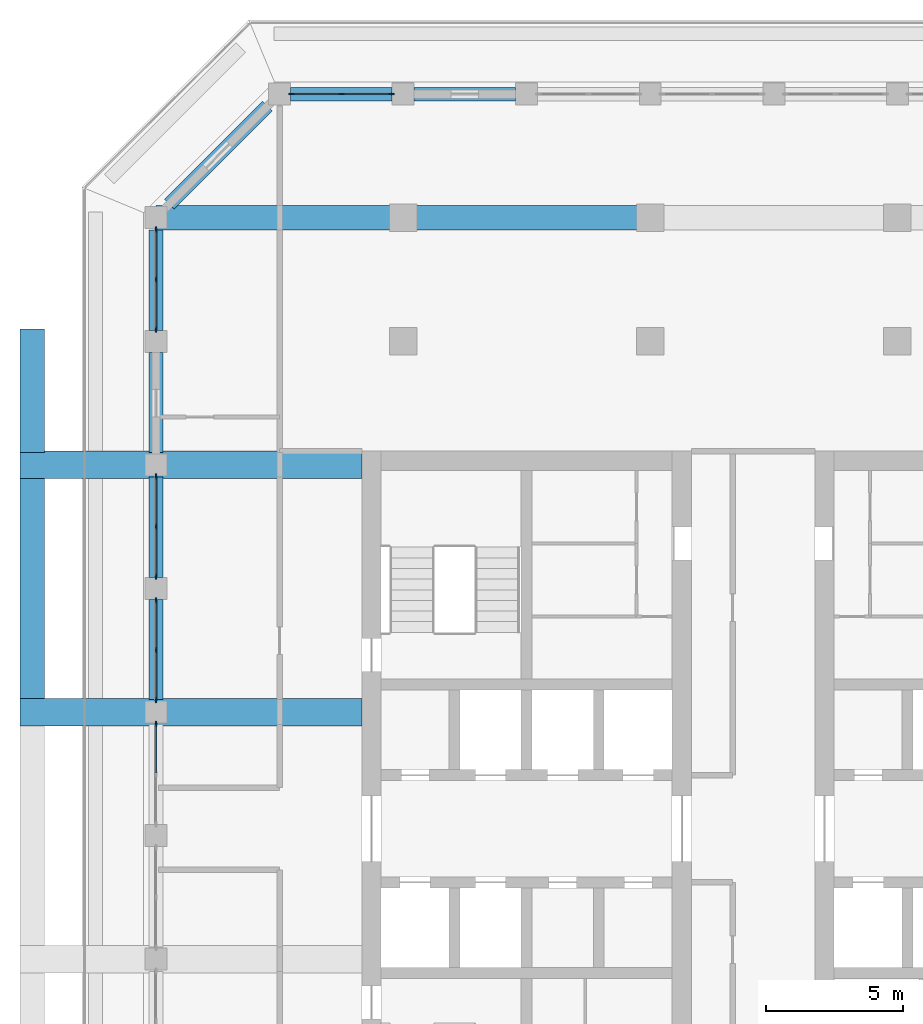
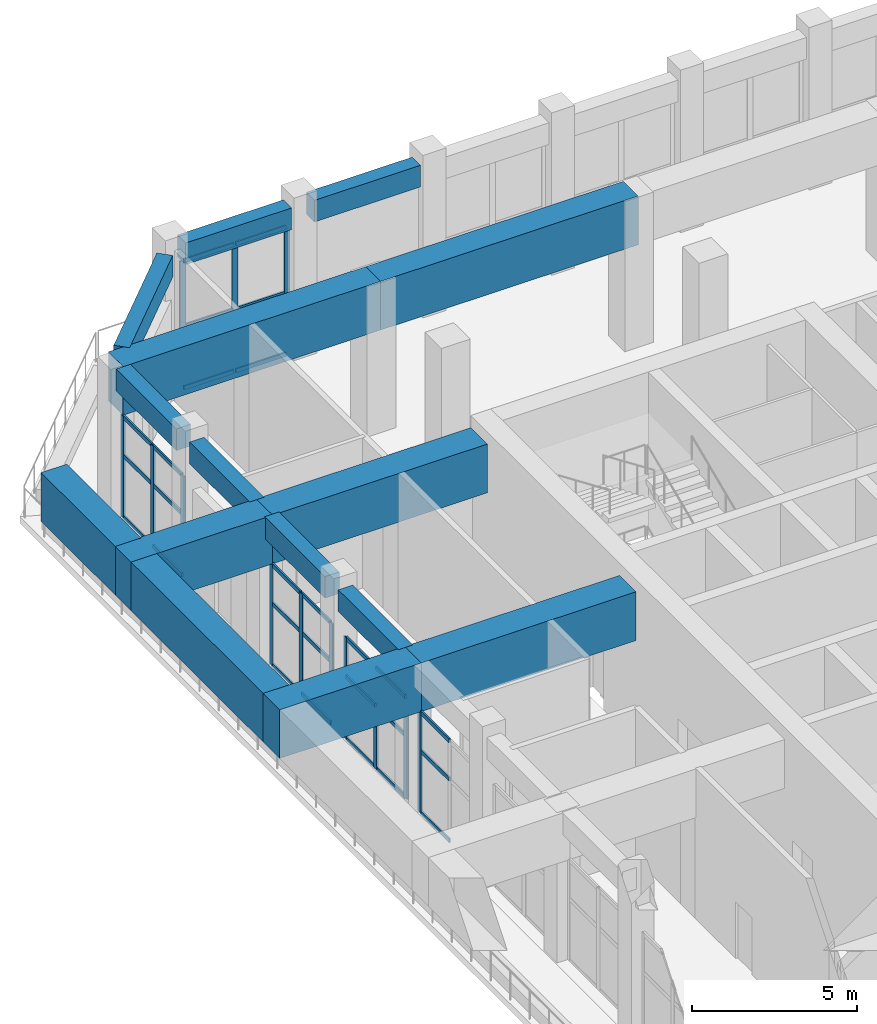
# One storey, part 6 of 25: 40 members, 15 beams, 5 elements without a shape of their own.
"""IFC4 building model written with IfcOpenShell, lengths in metres."""

from ifc_helpers import new_model, si_unit, direction, frame, origin, origin_2d, place, context, subcontext, project, spatial, rectangle, extrude, material, material_profile, profile_set, type_object, element, aggregate, save


model = new_model("IFC4")

# Units and contexts
model_context = context("Model", 3, precision=1e-05, world=origin(), true_north=direction((0.0, 1.0)))
body_context = subcontext(model_context, "Body", "Model", "MODEL_VIEW")
ifc_project = project(units=[si_unit("LENGTHUNIT", "METRE"), si_unit("AREAUNIT", "SQUARE_METRE"), si_unit("VOLUMEUNIT", "CUBIC_METRE"), si_unit("PLANEANGLEUNIT", "RADIAN"), si_unit("MASSUNIT", "GRAM", prefix="KILO")], contexts=[model_context])

# Site, building, storey
site_placement = place(None, origin())
site = spatial("IfcSite", under=ifc_project, at=site_placement, CompositionType="ELEMENT")
building_placement = place(site_placement, origin())
building = spatial("IfcBuilding", under=site, at=building_placement, Name="Corbel Stack Research Tower", CompositionType="ELEMENT")
storey_placement = place(building_placement, frame((0.0, 0.0, 260.300048828125)))
storey = spatial("IfcBuildingStorey", under=building, at=storey_placement, Name="L59", CompositionType="ELEMENT", Elevation=260.300048828125)

# Curtain wall, members
ifc_material_1 = material(Name="Aluminium frame, clear glass", Category="aluminium")
curtain_wall_type = type_object("IfcCurtainWallType", Name="Upper amenity floor curtain wall CW3", PredefinedType="NOTDEFINED", material=ifc_material_1)
curtain_wall_1_placement = place(storey_placement, origin())
curtain_wall_1 = element("IfcCurtainWall", 1, at=curtain_wall_1_placement, inside=storey, type_object=curtain_wall_type, Name="Curtain wall CW3 L59 N08", PredefinedType="NOTDEFINED")
ifc_material_2 = material(Name="Aluminium mullion", Category="aluminium")
ifc_material_profile_1 = material_profile(ifc_material_2, rectangle(XDim=0.06005859375, YDim=0.199951171875, at=origin_2d()), Name="Mullion 60 x 200")
ifc_profile_set_1 = profile_set([ifc_material_profile_1], Name="Aluminium mullion")
member_type_1 = type_object("IfcMemberType", Name="Curtain wall mullion 60 x 200", PredefinedType="MULLION", material=ifc_profile_set_1)
member_1_placement = place(storey_placement, frame((-9.429931640625, 31.5, 0.0), z_axis=(0.0, 0.0, 1.0), x_axis=(0.0, -1.0, 0.0)))
member_1 = element("IfcMember", 2, at=member_1_placement, type_object=member_type_1, Name="CW3 mullion 1", PredefinedType="MULLION", context=body_context, shape_type="SweptSolid", body=[
    extrude(rectangle(XDim=0.06005859375, YDim=0.199951171875, at=origin_2d()), origin(), (0.0, 0.0, 1.0), 4.75),
])
member_2_placement = place(storey_placement, frame((-11.25, 31.5, 0.0), z_axis=(0.0, 0.0, 1.0), x_axis=(0.0, -1.0, 0.0)))
member_2 = element("IfcMember", 3, at=member_2_placement, type_object=member_type_1, Name="CW3 mullion 2", PredefinedType="MULLION", context=body_context, shape_type="SweptSolid", body=[
    extrude(rectangle(XDim=0.06005859375, YDim=0.199951171875, at=origin_2d()), origin(), (0.0, 0.0, 1.0), 4.75),
])
member_3_placement = place(storey_placement, frame((-13.070068359375, 31.5, 0.0), z_axis=(0.0, 0.0, 1.0), x_axis=(0.0, -1.0, 0.0)))
member_3 = element("IfcMember", 4, at=member_3_placement, type_object=member_type_1, Name="CW3 mullion 3", PredefinedType="MULLION", context=body_context, shape_type="SweptSolid", body=[
    extrude(rectangle(XDim=0.06005859375, YDim=0.199951171875, at=origin_2d()), origin(), (0.0, 0.0, 1.0), 4.75),
])

curtain_wall_2_placement = place(storey_placement, origin())
curtain_wall_2 = element("IfcCurtainWall", 5, at=curtain_wall_2_placement, inside=storey, type_object=curtain_wall_type, Name="Curtain wall CW3 L59 W01", PredefinedType="NOTDEFINED")
member_4_placement = place(storey_placement, frame((-18.0, 26.570068359375, 0.0), z_axis=(0.0, 0.0, 1.0), x_axis=(1.0, 0.0, 0.0)))
member_4 = element("IfcMember", 6, at=member_4_placement, type_object=member_type_1, Name="CW3 mullion 1", PredefinedType="MULLION", context=body_context, shape_type="SweptSolid", body=[
    extrude(rectangle(XDim=0.06005859375, YDim=0.199951171875, at=origin_2d()), origin(), (0.0, 0.0, 1.0), 3.75),
])
member_5_placement = place(storey_placement, frame((-18.0, 24.75, 0.0), z_axis=(0.0, 0.0, 1.0), x_axis=(1.0, 0.0, 0.0)))
member_5 = element("IfcMember", 7, at=member_5_placement, type_object=member_type_1, Name="CW3 mullion 2", PredefinedType="MULLION", context=body_context, shape_type="SweptSolid", body=[
    extrude(rectangle(XDim=0.06005859375, YDim=0.199951171875, at=origin_2d()), origin(), (0.0, 0.0, 1.0), 3.75),
])
member_6_placement = place(storey_placement, frame((-18.0, 22.929931640625, 0.0), z_axis=(0.0, 0.0, 1.0), x_axis=(1.0, 0.0, 0.0)))
member_6 = element("IfcMember", 8, at=member_6_placement, type_object=member_type_1, Name="CW3 mullion 3", PredefinedType="MULLION", context=body_context, shape_type="SweptSolid", body=[
    extrude(rectangle(XDim=0.06005859375, YDim=0.199951171875, at=origin_2d()), origin(), (0.0, 0.0, 1.0), 3.75),
])

curtain_wall_3_placement = place(storey_placement, origin())
curtain_wall_3 = element("IfcCurtainWall", 9, at=curtain_wall_3_placement, inside=storey, type_object=curtain_wall_type, Name="Curtain wall CW3 L59 W03", PredefinedType="NOTDEFINED")
member_7_placement = place(storey_placement, frame((-18.0, 17.570068359375, 0.0), z_axis=(0.0, 0.0, 1.0), x_axis=(1.0, 0.0, 0.0)))
member_7 = element("IfcMember", 10, at=member_7_placement, type_object=member_type_1, Name="CW3 mullion 1", PredefinedType="MULLION", context=body_context, shape_type="SweptSolid", body=[
    extrude(rectangle(XDim=0.06005859375, YDim=0.199951171875, at=origin_2d()), origin(), (0.0, 0.0, 1.0), 3.75),
])
member_8_placement = place(storey_placement, frame((-18.0, 15.75, 0.0), z_axis=(0.0, 0.0, 1.0), x_axis=(1.0, 0.0, 0.0)))
member_8 = element("IfcMember", 11, at=member_8_placement, type_object=member_type_1, Name="CW3 mullion 2", PredefinedType="MULLION", context=body_context, shape_type="SweptSolid", body=[
    extrude(rectangle(XDim=0.06005859375, YDim=0.199951171875, at=origin_2d()), origin(), (0.0, 0.0, 1.0), 3.75),
])
member_9_placement = place(storey_placement, frame((-18.0, 13.929931640625, 0.0), z_axis=(0.0, 0.0, 1.0), x_axis=(1.0, 0.0, 0.0)))
member_9 = element("IfcMember", 12, at=member_9_placement, type_object=member_type_1, Name="CW3 mullion 3", PredefinedType="MULLION", context=body_context, shape_type="SweptSolid", body=[
    extrude(rectangle(XDim=0.06005859375, YDim=0.199951171875, at=origin_2d()), origin(), (0.0, 0.0, 1.0), 3.75),
])

curtain_wall_4_placement = place(storey_placement, origin())
curtain_wall_4 = element("IfcCurtainWall", 13, at=curtain_wall_4_placement, inside=storey, type_object=curtain_wall_type, Name="Curtain wall CW3 L59 W04", PredefinedType="NOTDEFINED")
member_10_placement = place(storey_placement, frame((-18.0, 13.070068359375, 0.0), z_axis=(0.0, 0.0, 1.0), x_axis=(1.0, 0.0, 0.0)))
member_10 = element("IfcMember", 14, at=member_10_placement, type_object=member_type_1, Name="CW3 mullion 1", PredefinedType="MULLION", context=body_context, shape_type="SweptSolid", body=[
    extrude(rectangle(XDim=0.06005859375, YDim=0.199951171875, at=origin_2d()), origin(), (0.0, 0.0, 1.0), 3.75),
])
member_11_placement = place(storey_placement, frame((-18.0, 11.25, 0.0), z_axis=(0.0, 0.0, 1.0), x_axis=(1.0, 0.0, 0.0)))
member_11 = element("IfcMember", 15, at=member_11_placement, type_object=member_type_1, Name="CW3 mullion 2", PredefinedType="MULLION", context=body_context, shape_type="SweptSolid", body=[
    extrude(rectangle(XDim=0.06005859375, YDim=0.199951171875, at=origin_2d()), origin(), (0.0, 0.0, 1.0), 3.75),
])
member_12_placement = place(storey_placement, frame((-18.0, 9.429931640625, 0.0), z_axis=(0.0, 0.0, 1.0), x_axis=(1.0, 0.0, 0.0)))
member_12 = element("IfcMember", 16, at=member_12_placement, type_object=member_type_1, Name="CW3 mullion 3", PredefinedType="MULLION", context=body_context, shape_type="SweptSolid", body=[
    extrude(rectangle(XDim=0.06005859375, YDim=0.199951171875, at=origin_2d()), origin(), (0.0, 0.0, 1.0), 3.75),
])

# Curtain wall, member
curtain_wall_5_placement = place(storey_placement, origin())
curtain_wall_5 = element("IfcCurtainWall", 17, at=curtain_wall_5_placement, inside=storey, type_object=curtain_wall_type, Name="Curtain wall CW3 L59 W05", PredefinedType="NOTDEFINED")
member_13_placement = place(storey_placement, frame((-18.0, 8.570068359375, 0.0), z_axis=(0.0, 0.0, 1.0), x_axis=(1.0, 0.0, 0.0)))
member_13 = element("IfcMember", 18, at=member_13_placement, type_object=member_type_1, Name="CW3 mullion 1", PredefinedType="MULLION", context=body_context, shape_type="SweptSolid", body=[
    extrude(rectangle(XDim=0.06005859375, YDim=0.199951171875, at=origin_2d()), origin(), (0.0, 0.0, 1.0), 3.75),
])

# Member
ifc_material_3 = material(Name="Aluminium transom", Category="aluminium")
ifc_material_profile_2 = material_profile(ifc_material_3, rectangle(XDim=0.06005859375, YDim=0.14990234375, at=origin_2d()), Name="Transom 60 x 150")
ifc_profile_set_2 = profile_set([ifc_material_profile_2], Name="Aluminium transom")
member_type_2 = type_object("IfcMemberType", Name="Curtain wall transom 60 x 150", PredefinedType="USERDEFINED", material=ifc_profile_set_2)
member_14_placement = place(storey_placement, frame((-9.4599609375, 31.5, 0.030029296875), z_axis=(-1.0, 0.0, 0.0), x_axis=(0.0, -1.0, 0.0)))
member_14 = element("IfcMember", 19, at=member_14_placement, type_object=member_type_2, Name="CW3 transom 1.1", ObjectType="TRANSOM", PredefinedType="USERDEFINED", context=body_context, shape_type="SweptSolid", body=[
    extrude(rectangle(XDim=0.06005859375, YDim=0.14990234375, at=origin_2d()), origin(), (0.0, 0.0, 1.0), 1.760009765625),
])

member_15_placement = place(storey_placement, frame((-9.4599609375, 31.5, 2.300048828125), z_axis=(-1.0, 0.0, 0.0), x_axis=(0.0, -1.0, 0.0)))
member_15 = element("IfcMember", 20, at=member_15_placement, type_object=member_type_2, Name="CW3 transom 1.2", ObjectType="TRANSOM", PredefinedType="USERDEFINED", context=body_context, shape_type="SweptSolid", body=[
    extrude(rectangle(XDim=0.06005859375, YDim=0.14990234375, at=origin_2d()), origin(), (0.0, 0.0, 1.0), 1.760009765625),
])

member_16_placement = place(storey_placement, frame((-9.4599609375, 31.5, 4.719970703125), z_axis=(-1.0, 0.0, 0.0), x_axis=(0.0, -1.0, 0.0)))
member_16 = element("IfcMember", 21, at=member_16_placement, type_object=member_type_2, Name="CW3 transom 1.3", ObjectType="TRANSOM", PredefinedType="USERDEFINED", context=body_context, shape_type="SweptSolid", body=[
    extrude(rectangle(XDim=0.06005859375, YDim=0.14990234375, at=origin_2d()), origin(), (0.0, 0.0, 1.0), 1.760009765625),
])

member_17_placement = place(storey_placement, frame((-11.280029296875, 31.5, 0.030029296875), z_axis=(-1.0, 0.0, 0.0), x_axis=(0.0, -1.0, 0.0)))
member_17 = element("IfcMember", 22, at=member_17_placement, type_object=member_type_2, Name="CW3 transom 2.1", ObjectType="TRANSOM", PredefinedType="USERDEFINED", context=body_context, shape_type="SweptSolid", body=[
    extrude(rectangle(XDim=0.06005859375, YDim=0.14990234375, at=origin_2d()), origin(), (0.0, 0.0, 1.0), 1.760009765625),
])

member_18_placement = place(storey_placement, frame((-11.280029296875, 31.5, 2.300048828125), z_axis=(-1.0, 0.0, 0.0), x_axis=(0.0, -1.0, 0.0)))
member_18 = element("IfcMember", 23, at=member_18_placement, type_object=member_type_2, Name="CW3 transom 2.2", ObjectType="TRANSOM", PredefinedType="USERDEFINED", context=body_context, shape_type="SweptSolid", body=[
    extrude(rectangle(XDim=0.06005859375, YDim=0.14990234375, at=origin_2d()), origin(), (0.0, 0.0, 1.0), 1.760009765625),
])

member_19_placement = place(storey_placement, frame((-11.280029296875, 31.5, 4.719970703125), z_axis=(-1.0, 0.0, 0.0), x_axis=(0.0, -1.0, 0.0)))
member_19 = element("IfcMember", 24, at=member_19_placement, type_object=member_type_2, Name="CW3 transom 2.3", ObjectType="TRANSOM", PredefinedType="USERDEFINED", context=body_context, shape_type="SweptSolid", body=[
    extrude(rectangle(XDim=0.06005859375, YDim=0.14990234375, at=origin_2d()), origin(), (0.0, 0.0, 1.0), 1.760009765625),
])

aggregate(curtain_wall_1, [member_1, member_2, member_3, member_14, member_15, member_16, member_17, member_18, member_19])

member_20_placement = place(storey_placement, frame((-18.0, 26.5400390625, 0.030029296875), z_axis=(0.0, -1.0, 0.0), x_axis=(1.0, 0.0, 0.0)))
member_20 = element("IfcMember", 25, at=member_20_placement, type_object=member_type_2, Name="CW3 transom 1.1", ObjectType="TRANSOM", PredefinedType="USERDEFINED", context=body_context, shape_type="SweptSolid", body=[
    extrude(rectangle(XDim=0.06005859375, YDim=0.14990234375, at=origin_2d()), origin(), (0.0, 0.0, 1.0), 1.760009765625),
])

member_21_placement = place(storey_placement, frame((-18.0, 26.5400390625, 2.300048828125), z_axis=(0.0, -1.0, 0.0), x_axis=(1.0, 0.0, 0.0)))
member_21 = element("IfcMember", 26, at=member_21_placement, type_object=member_type_2, Name="CW3 transom 1.2", ObjectType="TRANSOM", PredefinedType="USERDEFINED", context=body_context, shape_type="SweptSolid", body=[
    extrude(rectangle(XDim=0.06005859375, YDim=0.14990234375, at=origin_2d()), origin(), (0.0, 0.0, 1.0), 1.760009765625),
])

member_22_placement = place(storey_placement, frame((-18.0, 26.5400390625, 3.719970703125), z_axis=(0.0, -1.0, 0.0), x_axis=(1.0, 0.0, 0.0)))
member_22 = element("IfcMember", 27, at=member_22_placement, type_object=member_type_2, Name="CW3 transom 1.3", ObjectType="TRANSOM", PredefinedType="USERDEFINED", context=body_context, shape_type="SweptSolid", body=[
    extrude(rectangle(XDim=0.06005859375, YDim=0.14990234375, at=origin_2d()), origin(), (0.0, 0.0, 1.0), 1.760009765625),
])

member_23_placement = place(storey_placement, frame((-18.0, 24.719970703125, 0.030029296875), z_axis=(0.0, -1.0, 0.0), x_axis=(1.0, 0.0, 0.0)))
member_23 = element("IfcMember", 28, at=member_23_placement, type_object=member_type_2, Name="CW3 transom 2.1", ObjectType="TRANSOM", PredefinedType="USERDEFINED", context=body_context, shape_type="SweptSolid", body=[
    extrude(rectangle(XDim=0.06005859375, YDim=0.14990234375, at=origin_2d()), origin(), (0.0, 0.0, 1.0), 1.760009765625),
])

member_24_placement = place(storey_placement, frame((-18.0, 24.719970703125, 2.300048828125), z_axis=(0.0, -1.0, 0.0), x_axis=(1.0, 0.0, 0.0)))
member_24 = element("IfcMember", 29, at=member_24_placement, type_object=member_type_2, Name="CW3 transom 2.2", ObjectType="TRANSOM", PredefinedType="USERDEFINED", context=body_context, shape_type="SweptSolid", body=[
    extrude(rectangle(XDim=0.06005859375, YDim=0.14990234375, at=origin_2d()), origin(), (0.0, 0.0, 1.0), 1.760009765625),
])

member_25_placement = place(storey_placement, frame((-18.0, 24.719970703125, 3.719970703125), z_axis=(0.0, -1.0, 0.0), x_axis=(1.0, 0.0, 0.0)))
member_25 = element("IfcMember", 30, at=member_25_placement, type_object=member_type_2, Name="CW3 transom 2.3", ObjectType="TRANSOM", PredefinedType="USERDEFINED", context=body_context, shape_type="SweptSolid", body=[
    extrude(rectangle(XDim=0.06005859375, YDim=0.14990234375, at=origin_2d()), origin(), (0.0, 0.0, 1.0), 1.760009765625),
])

aggregate(curtain_wall_2, [member_4, member_5, member_6, member_20, member_21, member_22, member_23, member_24, member_25])

member_26_placement = place(storey_placement, frame((-18.0, 17.5400390625, 0.030029296875), z_axis=(0.0, -1.0, 0.0), x_axis=(1.0, 0.0, 0.0)))
member_26 = element("IfcMember", 31, at=member_26_placement, type_object=member_type_2, Name="CW3 transom 1.1", ObjectType="TRANSOM", PredefinedType="USERDEFINED", context=body_context, shape_type="SweptSolid", body=[
    extrude(rectangle(XDim=0.06005859375, YDim=0.14990234375, at=origin_2d()), origin(), (0.0, 0.0, 1.0), 1.760009765625),
])

member_27_placement = place(storey_placement, frame((-18.0, 17.5400390625, 2.300048828125), z_axis=(0.0, -1.0, 0.0), x_axis=(1.0, 0.0, 0.0)))
member_27 = element("IfcMember", 32, at=member_27_placement, type_object=member_type_2, Name="CW3 transom 1.2", ObjectType="TRANSOM", PredefinedType="USERDEFINED", context=body_context, shape_type="SweptSolid", body=[
    extrude(rectangle(XDim=0.06005859375, YDim=0.14990234375, at=origin_2d()), origin(), (0.0, 0.0, 1.0), 1.760009765625),
])

member_28_placement = place(storey_placement, frame((-18.0, 17.5400390625, 3.719970703125), z_axis=(0.0, -1.0, 0.0), x_axis=(1.0, 0.0, 0.0)))
member_28 = element("IfcMember", 33, at=member_28_placement, type_object=member_type_2, Name="CW3 transom 1.3", ObjectType="TRANSOM", PredefinedType="USERDEFINED", context=body_context, shape_type="SweptSolid", body=[
    extrude(rectangle(XDim=0.06005859375, YDim=0.14990234375, at=origin_2d()), origin(), (0.0, 0.0, 1.0), 1.760009765625),
])

member_29_placement = place(storey_placement, frame((-18.0, 15.719970703125, 0.030029296875), z_axis=(0.0, -1.0, 0.0), x_axis=(1.0, 0.0, 0.0)))
member_29 = element("IfcMember", 34, at=member_29_placement, type_object=member_type_2, Name="CW3 transom 2.1", ObjectType="TRANSOM", PredefinedType="USERDEFINED", context=body_context, shape_type="SweptSolid", body=[
    extrude(rectangle(XDim=0.06005859375, YDim=0.14990234375, at=origin_2d()), origin(), (0.0, 0.0, 1.0), 1.760009765625),
])

member_30_placement = place(storey_placement, frame((-18.0, 15.719970703125, 2.300048828125), z_axis=(0.0, -1.0, 0.0), x_axis=(1.0, 0.0, 0.0)))
member_30 = element("IfcMember", 35, at=member_30_placement, type_object=member_type_2, Name="CW3 transom 2.2", ObjectType="TRANSOM", PredefinedType="USERDEFINED", context=body_context, shape_type="SweptSolid", body=[
    extrude(rectangle(XDim=0.06005859375, YDim=0.14990234375, at=origin_2d()), origin(), (0.0, 0.0, 1.0), 1.760009765625),
])

member_31_placement = place(storey_placement, frame((-18.0, 15.719970703125, 3.719970703125), z_axis=(0.0, -1.0, 0.0), x_axis=(1.0, 0.0, 0.0)))
member_31 = element("IfcMember", 36, at=member_31_placement, type_object=member_type_2, Name="CW3 transom 2.3", ObjectType="TRANSOM", PredefinedType="USERDEFINED", context=body_context, shape_type="SweptSolid", body=[
    extrude(rectangle(XDim=0.06005859375, YDim=0.14990234375, at=origin_2d()), origin(), (0.0, 0.0, 1.0), 1.760009765625),
])

aggregate(curtain_wall_3, [member_7, member_8, member_9, member_26, member_27, member_28, member_29, member_30, member_31])

member_32_placement = place(storey_placement, frame((-18.0, 13.0400390625, 0.030029296875), z_axis=(0.0, -1.0, 0.0), x_axis=(1.0, 0.0, 0.0)))
member_32 = element("IfcMember", 37, at=member_32_placement, type_object=member_type_2, Name="CW3 transom 1.1", ObjectType="TRANSOM", PredefinedType="USERDEFINED", context=body_context, shape_type="SweptSolid", body=[
    extrude(rectangle(XDim=0.06005859375, YDim=0.14990234375, at=origin_2d()), origin(), (0.0, 0.0, 1.0), 1.760009765625),
])

member_33_placement = place(storey_placement, frame((-18.0, 13.0400390625, 2.300048828125), z_axis=(0.0, -1.0, 0.0), x_axis=(1.0, 0.0, 0.0)))
member_33 = element("IfcMember", 38, at=member_33_placement, type_object=member_type_2, Name="CW3 transom 1.2", ObjectType="TRANSOM", PredefinedType="USERDEFINED", context=body_context, shape_type="SweptSolid", body=[
    extrude(rectangle(XDim=0.06005859375, YDim=0.14990234375, at=origin_2d()), origin(), (0.0, 0.0, 1.0), 1.760009765625),
])

member_34_placement = place(storey_placement, frame((-18.0, 13.0400390625, 3.719970703125), z_axis=(0.0, -1.0, 0.0), x_axis=(1.0, 0.0, 0.0)))
member_34 = element("IfcMember", 39, at=member_34_placement, type_object=member_type_2, Name="CW3 transom 1.3", ObjectType="TRANSOM", PredefinedType="USERDEFINED", context=body_context, shape_type="SweptSolid", body=[
    extrude(rectangle(XDim=0.06005859375, YDim=0.14990234375, at=origin_2d()), origin(), (0.0, 0.0, 1.0), 1.760009765625),
])

member_35_placement = place(storey_placement, frame((-18.0, 11.219970703125, 0.030029296875), z_axis=(0.0, -1.0, 0.0), x_axis=(1.0, 0.0, 0.0)))
member_35 = element("IfcMember", 40, at=member_35_placement, type_object=member_type_2, Name="CW3 transom 2.1", ObjectType="TRANSOM", PredefinedType="USERDEFINED", context=body_context, shape_type="SweptSolid", body=[
    extrude(rectangle(XDim=0.06005859375, YDim=0.14990234375, at=origin_2d()), origin(), (0.0, 0.0, 1.0), 1.760009765625),
])

member_36_placement = place(storey_placement, frame((-18.0, 11.219970703125, 2.300048828125), z_axis=(0.0, -1.0, 0.0), x_axis=(1.0, 0.0, 0.0)))
member_36 = element("IfcMember", 41, at=member_36_placement, type_object=member_type_2, Name="CW3 transom 2.2", ObjectType="TRANSOM", PredefinedType="USERDEFINED", context=body_context, shape_type="SweptSolid", body=[
    extrude(rectangle(XDim=0.06005859375, YDim=0.14990234375, at=origin_2d()), origin(), (0.0, 0.0, 1.0), 1.760009765625),
])

member_37_placement = place(storey_placement, frame((-18.0, 11.219970703125, 3.719970703125), z_axis=(0.0, -1.0, 0.0), x_axis=(1.0, 0.0, 0.0)))
member_37 = element("IfcMember", 42, at=member_37_placement, type_object=member_type_2, Name="CW3 transom 2.3", ObjectType="TRANSOM", PredefinedType="USERDEFINED", context=body_context, shape_type="SweptSolid", body=[
    extrude(rectangle(XDim=0.06005859375, YDim=0.14990234375, at=origin_2d()), origin(), (0.0, 0.0, 1.0), 1.760009765625),
])

aggregate(curtain_wall_4, [member_10, member_11, member_12, member_32, member_33, member_34, member_35, member_36, member_37])

member_38_placement = place(storey_placement, frame((-18.0, 8.5400390625, 0.030029296875), z_axis=(0.0, -1.0, 0.0), x_axis=(1.0, 0.0, 0.0)))
member_38 = element("IfcMember", 43, at=member_38_placement, type_object=member_type_2, Name="CW3 transom 1.1", ObjectType="TRANSOM", PredefinedType="USERDEFINED", context=body_context, shape_type="SweptSolid", body=[
    extrude(rectangle(XDim=0.06005859375, YDim=0.14990234375, at=origin_2d()), origin(), (0.0, 0.0, 1.0), 1.760009765625),
])

member_39_placement = place(storey_placement, frame((-18.0, 8.5400390625, 2.300048828125), z_axis=(0.0, -1.0, 0.0), x_axis=(1.0, 0.0, 0.0)))
member_39 = element("IfcMember", 44, at=member_39_placement, type_object=member_type_2, Name="CW3 transom 1.2", ObjectType="TRANSOM", PredefinedType="USERDEFINED", context=body_context, shape_type="SweptSolid", body=[
    extrude(rectangle(XDim=0.06005859375, YDim=0.14990234375, at=origin_2d()), origin(), (0.0, 0.0, 1.0), 1.760009765625),
])

member_40_placement = place(storey_placement, frame((-18.0, 8.5400390625, 3.719970703125), z_axis=(0.0, -1.0, 0.0), x_axis=(1.0, 0.0, 0.0)))
member_40 = element("IfcMember", 45, at=member_40_placement, type_object=member_type_2, Name="CW3 transom 1.3", ObjectType="TRANSOM", PredefinedType="USERDEFINED", context=body_context, shape_type="SweptSolid", body=[
    extrude(rectangle(XDim=0.06005859375, YDim=0.14990234375, at=origin_2d()), origin(), (0.0, 0.0, 1.0), 1.760009765625),
])

aggregate(curtain_wall_5, [member_13, member_38, member_39, member_40])

# Beams
ifc_material_4 = material(Name="Concrete C60/75", Category="concrete")
ifc_material_profile_3 = material_profile(ifc_material_4, rectangle(XDim=0.5, YDim=0.800048828125, at=origin_2d()), Name="RC 500 x 800")
ifc_profile_set_3 = profile_set([ifc_material_profile_3], Name="Concrete C60/75")
beam_type_1 = type_object("IfcBeamType", Name="SB-500-800-450", PredefinedType="SPANDREL", material=ifc_profile_set_3)
for number, where, z_axis, x_axis, name in (
    (46, (-4.89990234375, 31.5, 5.14990234375), (-1.0, 0.0, 0.0), (0.0, -1.0, 0.0), "Spandrel beam L59-27"),
    (47, (-9.39990234375, 31.5, 5.14990234375), (-1.0, 0.0, 0.0), (0.0, -1.0, 0.0), "Spandrel beam L59-28"),
):
    element("IfcBeam", number, at=place(storey_placement, frame(where, z_axis=z_axis, x_axis=x_axis)), inside=storey, type_object=beam_type_1, Name=name, PredefinedType="SPANDREL", context=body_context, shape_type="SweptSolid", body=[
        extrude(rectangle(XDim=0.5, YDim=0.800048828125, at=origin_2d()), origin(), (0.0, 0.0, 1.0), 3.7001953125),
    ])
beam_1_placement = place(storey_placement, frame((-13.9423828125, 31.0576171875, 5.14990234375), z_axis=(-0.707106781187, -0.707106781187, 0.0), x_axis=(0.707106781187, -0.707106781187, 0.0)))
element("IfcBeam", 48, at=beam_1_placement, inside=storey, type_object=beam_type_1, Name="Spandrel beam L59-29", PredefinedType="SPANDREL", context=body_context, shape_type="SweptSolid", body=[
    extrude(rectangle(XDim=0.5, YDim=0.800048828125, at=origin_2d()), origin(), (0.0, 0.0, 1.0), 5.0419921875),
])
for number, where, z_axis, x_axis, name in (
    (49, (-18.0, 26.550048828125, 5.14990234375), (0.0, -1.0, 0.0), (1.0, 0.0, 0.0), "Spandrel beam L59-30"),
    (50, (-18.0, 22.10009765625, 5.14990234375), (0.0, -1.0, 0.0), (1.0, 0.0, 0.0), "Spandrel beam L59-31"),
    (51, (-18.0, 17.550048828125, 5.14990234375), (0.0, -1.0, 0.0), (1.0, 0.0, 0.0), "Spandrel beam L59-32"),
    (52, (-18.0, 13.10009765625, 5.14990234375), (0.0, -1.0, 0.0), (1.0, 0.0, 0.0), "Spandrel beam L59-33"),
):
    element("IfcBeam", number, at=place(storey_placement, frame(where, z_axis=z_axis, x_axis=x_axis)), inside=storey, type_object=beam_type_1, Name=name, PredefinedType="SPANDREL", context=body_context, shape_type="SweptSolid", body=[
        extrude(rectangle(XDim=0.5, YDim=0.800048828125, at=origin_2d()), origin(), (0.0, 0.0, 1.0), 3.650146484375),
    ])
ifc_material_5 = material(Name="Concrete C60/75", Category="concrete")
ifc_material_profile_4 = material_profile(ifc_material_5, rectangle(XDim=1.0, YDim=1.800048828125, at=origin_2d()), Name="RC 1000 x 1800")
ifc_profile_set_4 = profile_set([ifc_material_profile_4], Name="Concrete C60/75")
beam_type_2 = type_object("IfcBeamType", Name="TG-1000-1800", PredefinedType="BEAM", material=ifc_profile_set_4)
beam_2_placement = place(storey_placement, frame((-22.949951171875, 9.0, 4.64990234375), z_axis=(1.0, 0.0, 0.0), x_axis=(0.0, 1.0, 0.0)))
element("IfcBeam", 53, at=beam_2_placement, inside=storey, type_object=beam_type_2, Name="Transfer girder L59 W9c", PredefinedType="BEAM", context=body_context, shape_type="SweptSolid", body=[
    extrude(rectangle(XDim=1.0, YDim=1.800048828125, at=origin_2d()), origin(), (0.0, 0.0, 1.0), 4.949951171875),
])
beam_3_placement = place(storey_placement, frame((-18.0, 9.0, 4.64990234375), z_axis=(1.0, 0.0, 0.0), x_axis=(0.0, 1.0, 0.0)))
element("IfcBeam", 54, at=beam_3_placement, inside=storey, type_object=beam_type_2, Name="Transfer girder L59 W9b", PredefinedType="BEAM", context=body_context, shape_type="SweptSolid", body=[
    extrude(rectangle(XDim=1.0, YDim=1.800048828125, at=origin_2d()), origin(), (0.0, 0.0, 1.0), 7.5),
])
beam_4_placement = place(storey_placement, frame((-22.949951171875, 18.0, 4.64990234375), z_axis=(1.0, 0.0, 0.0), x_axis=(0.0, 1.0, 0.0)))
element("IfcBeam", 55, at=beam_4_placement, inside=storey, type_object=beam_type_2, Name="Transfer girder L59 W18c", PredefinedType="BEAM", context=body_context, shape_type="SweptSolid", body=[
    extrude(rectangle(XDim=1.0, YDim=1.800048828125, at=origin_2d()), origin(), (0.0, 0.0, 1.0), 4.949951171875),
])
beam_5_placement = place(storey_placement, frame((-18.0, 18.0, 4.64990234375), z_axis=(1.0, 0.0, 0.0), x_axis=(0.0, 1.0, 0.0)))
element("IfcBeam", 56, at=beam_5_placement, inside=storey, type_object=beam_type_2, Name="Transfer girder L59 W18b", PredefinedType="BEAM", context=body_context, shape_type="SweptSolid", body=[
    extrude(rectangle(XDim=1.0, YDim=1.800048828125, at=origin_2d()), origin(), (0.0, 0.0, 1.0), 7.5),
])
ifc_material_6 = material(Name="Concrete C60/75", Category="concrete")
ifc_material_profile_5 = material_profile(ifc_material_6, rectangle(XDim=0.89990234375, YDim=1.800048828125, at=origin_2d()), Name="RC 900 x 1800")
ifc_profile_set_5 = profile_set([ifc_material_profile_5], Name="Concrete C60/75")
beam_type_3 = type_object("IfcBeamType", Name="TG-900-1800", PredefinedType="BEAM", material=ifc_profile_set_5)
beam_6_placement = place(storey_placement, frame((-22.5, 9.449951171875, 4.64990234375), z_axis=(0.0, 1.0, 0.0), x_axis=(-1.0, 0.0, 0.0)))
element("IfcBeam", 57, at=beam_6_placement, inside=storey, type_object=beam_type_3, Name="Transfer edge beam L59 We9", PredefinedType="BEAM", context=body_context, shape_type="SweptSolid", body=[
    extrude(rectangle(XDim=0.89990234375, YDim=1.800048828125, at=origin_2d()), origin(), (0.0, 0.0, 1.0), 8.10009765625),
])
beam_7_placement = place(storey_placement, frame((-22.5, 18.449951171875, 4.64990234375), z_axis=(0.0, 1.0, 0.0), x_axis=(-1.0, 0.0, 0.0)))
element("IfcBeam", 58, at=beam_7_placement, inside=storey, type_object=beam_type_3, Name="Transfer edge beam L59 Wehi", PredefinedType="BEAM", context=body_context, shape_type="SweptSolid", body=[
    extrude(rectangle(XDim=0.89990234375, YDim=1.800048828125, at=origin_2d()), origin(), (0.0, 0.0, 1.0), 4.5),
])
for number, where, z_axis, x_axis, name in (
    (59, (-18.0, 27.0, 4.64990234375), (1.0, 0.0, 0.0), (0.0, 1.0, 0.0), "Transfer girder along the step L59 Nl-18"),
    (60, (-9.0, 27.0, 4.64990234375), (1.0, 0.0, 0.0), (0.0, 1.0, 0.0), "Transfer girder along the step L59 Nl-9"),
):
    element("IfcBeam", number, at=place(storey_placement, frame(where, z_axis=z_axis, x_axis=x_axis)), inside=storey, type_object=beam_type_3, Name=name, PredefinedType="BEAM", context=body_context, shape_type="SweptSolid", body=[
        extrude(rectangle(XDim=0.89990234375, YDim=1.800048828125, at=origin_2d()), origin(), (0.0, 0.0, 1.0), 9.0),
    ])

save(model, "model.ifc")
